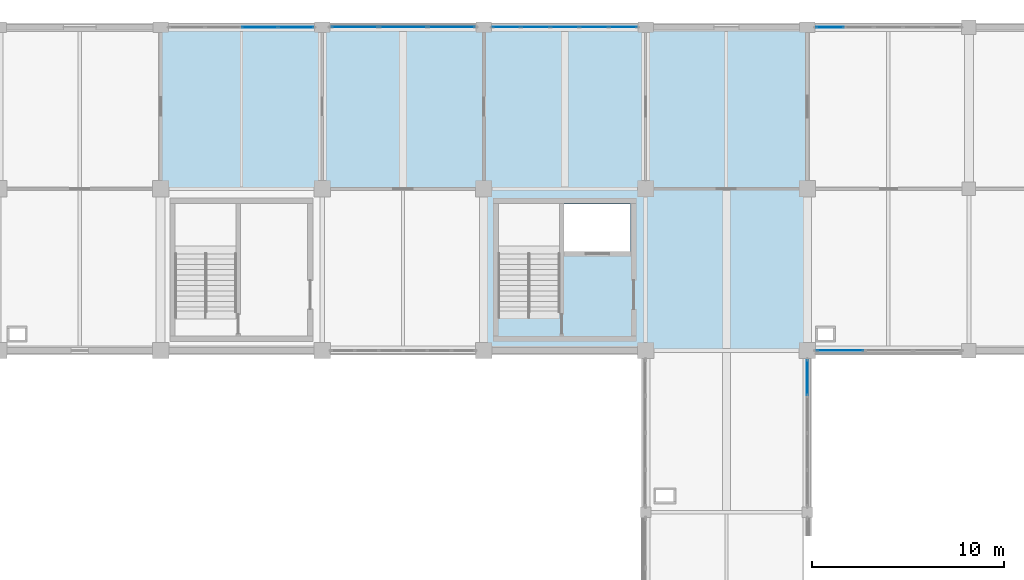
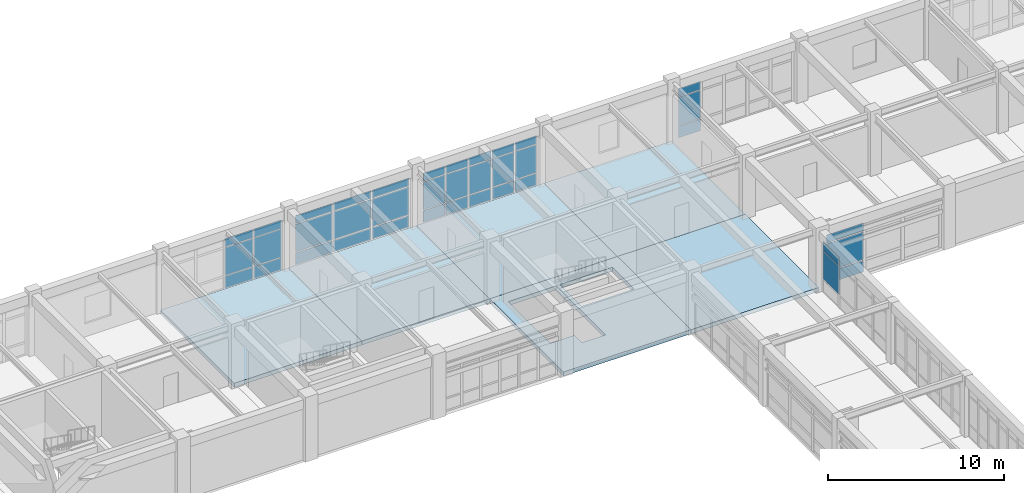
# One storey, part 53 of 78: 38 plates, 6 slabs, 6 elements without a shape of their own.
"""IFC4 building model written with IfcOpenShell, lengths in metres."""

from ifc_helpers import new_model, si_unit, direction, frame, origin, origin_2d, place, context, subcontext, project, spatial, polyline, rectangle, outline, extrude, material, layer, layer_set, type_object, element, aggregate, save


model = new_model("IFC4")

# Units and contexts
model_context = context("Model", 3, precision=1e-05, world=origin(), true_north=direction((0.0, 1.0)))
body_context = subcontext(model_context, "Body", "Model", "MODEL_VIEW")
ifc_project = project(units=[si_unit("LENGTHUNIT", "METRE"), si_unit("AREAUNIT", "SQUARE_METRE"), si_unit("VOLUMEUNIT", "CUBIC_METRE"), si_unit("PLANEANGLEUNIT", "RADIAN"), si_unit("MASSUNIT", "GRAM", prefix="KILO")], contexts=[model_context])

# Site, building, storey
site_placement = place(None, origin())
site = spatial("IfcSite", under=ifc_project, at=site_placement, CompositionType="ELEMENT")
building_placement = place(site_placement, origin())
building = spatial("IfcBuilding", under=site, at=building_placement, Name="Porcellanite Civic Hall", CompositionType="ELEMENT")
storey_placement = place(building_placement, frame((0.0, 0.0, 10.260009765625)))
storey = spatial("IfcBuildingStorey", under=building, at=storey_placement, Name="L02", CompositionType="ELEMENT", Elevation=10.260009765625)

# Curtain wall, plates
ifc_material_1 = material(Name="Anodised aluminium and solar laminated glass", Category="aluminium")
ifc_layer_1 = layer(ifc_material_1, 0.179931640625)
ifc_layer_set_1 = layer_set([ifc_layer_1], Name="Anodised aluminium and solar laminated glass")
curtain_wall_type_1 = type_object("IfcCurtainWallType", Name="CW-SYS08", PredefinedType="NOTDEFINED", material=ifc_layer_set_1)
curtain_wall_1_placement = place(storey_placement, origin())
curtain_wall_1 = element("IfcCurtainWall", 1, at=curtain_wall_1_placement, inside=storey, type_object=curtain_wall_type_1, Name="Curtain wall CW-160", PredefinedType="NOTDEFINED")
ifc_material_2 = material(Name="Cyclone laminated solar-control low-E glass", Category="glass")
ifc_layer_2 = layer(ifc_material_2, 0.02392578125)
ifc_layer_set_2 = layer_set([ifc_layer_2], Name="Cyclone laminated solar-control low-E glass")
plate_type_1 = type_object("IfcPlateType", Name="CWP-01", PredefinedType="CURTAIN_PANEL", material=ifc_layer_set_2)
plate_1_placement = place(storey_placement, frame((102.4873046875, 117.60009765625, 0.070068359375), z_axis=(0.0, 0.0, 1.0), x_axis=(1.0, 0.0, 0.0)))
plate_1 = element("IfcPlate", 2, at=plate_1_placement, type_object=plate_type_1, Name="CW-160 panel 1.1", PredefinedType="CURTAIN_PANEL", context=body_context, shape_type="SweptSolid", body=[
    extrude(rectangle(XDim=2.41259765625, YDim=0.02392578125, at=origin_2d()), origin(), (0.0, 0.0, 1.0), 0.794921875),
])
plate_2_placement = place(storey_placement, frame((102.4873046875, 117.60009765625, 0.93505859375), z_axis=(0.0, 0.0, 1.0), x_axis=(1.0, 0.0, 0.0)))
plate_2 = element("IfcPlate", 3, at=plate_2_placement, type_object=plate_type_1, Name="CW-160 panel 1.2", PredefinedType="CURTAIN_PANEL", context=body_context, shape_type="SweptSolid", body=[
    extrude(rectangle(XDim=2.41259765625, YDim=0.02392578125, at=origin_2d()), origin(), (0.0, 0.0, 1.0), 1.919921875),
])
plate_3_placement = place(storey_placement, frame((102.4873046875, 117.60009765625, 2.925048828125), z_axis=(0.0, 0.0, 1.0), x_axis=(1.0, 0.0, 0.0)))
plate_3 = element("IfcPlate", 4, at=plate_3_placement, type_object=plate_type_1, Name="CW-160 panel 1.3", PredefinedType="CURTAIN_PANEL", context=body_context, shape_type="SweptSolid", body=[
    extrude(rectangle(XDim=2.41259765625, YDim=0.02392578125, at=origin_2d()), origin(), (0.0, 0.0, 1.0), 0.544921875),
])
plate_4_placement = place(storey_placement, frame((105.0, 117.60009765625, 0.070068359375), z_axis=(0.0, 0.0, 1.0), x_axis=(1.0, 0.0, 0.0)))
plate_4 = element("IfcPlate", 5, at=plate_4_placement, type_object=plate_type_1, Name="CW-160 panel 2.1", PredefinedType="CURTAIN_PANEL", context=body_context, shape_type="SweptSolid", body=[
    extrude(rectangle(XDim=2.45263671875, YDim=0.02392578125, at=origin_2d()), origin(), (0.0, 0.0, 1.0), 0.794921875),
])
plate_5_placement = place(storey_placement, frame((105.0, 117.60009765625, 0.93505859375), z_axis=(0.0, 0.0, 1.0), x_axis=(1.0, 0.0, 0.0)))
plate_5 = element("IfcPlate", 6, at=plate_5_placement, type_object=plate_type_1, Name="CW-160 panel 2.2", PredefinedType="CURTAIN_PANEL", context=body_context, shape_type="SweptSolid", body=[
    extrude(rectangle(XDim=2.45263671875, YDim=0.02392578125, at=origin_2d()), origin(), (0.0, 0.0, 1.0), 1.919921875),
])
plate_6_placement = place(storey_placement, frame((105.0, 117.60009765625, 2.925048828125), z_axis=(0.0, 0.0, 1.0), x_axis=(1.0, 0.0, 0.0)))
plate_6 = element("IfcPlate", 7, at=plate_6_placement, type_object=plate_type_1, Name="CW-160 panel 2.3", PredefinedType="CURTAIN_PANEL", context=body_context, shape_type="SweptSolid", body=[
    extrude(rectangle(XDim=2.45263671875, YDim=0.02392578125, at=origin_2d()), origin(), (0.0, 0.0, 1.0), 0.544921875),
])
plate_7_placement = place(storey_placement, frame((107.5126953125, 117.60009765625, 0.070068359375), z_axis=(0.0, 0.0, 1.0), x_axis=(1.0, 0.0, 0.0)))
plate_7 = element("IfcPlate", 8, at=plate_7_placement, type_object=plate_type_1, Name="CW-160 panel 3.1", PredefinedType="CURTAIN_PANEL", context=body_context, shape_type="SweptSolid", body=[
    extrude(rectangle(XDim=2.41259765625, YDim=0.02392578125, at=origin_2d()), origin(), (0.0, 0.0, 1.0), 0.794921875),
])
plate_8_placement = place(storey_placement, frame((107.5126953125, 117.60009765625, 0.93505859375), z_axis=(0.0, 0.0, 1.0), x_axis=(1.0, 0.0, 0.0)))
plate_8 = element("IfcPlate", 9, at=plate_8_placement, type_object=plate_type_1, Name="CW-160 panel 3.2", PredefinedType="CURTAIN_PANEL", context=body_context, shape_type="SweptSolid", body=[
    extrude(rectangle(XDim=2.41259765625, YDim=0.02392578125, at=origin_2d()), origin(), (0.0, 0.0, 1.0), 1.919921875),
])
plate_9_placement = place(storey_placement, frame((107.5126953125, 117.60009765625, 2.925048828125), z_axis=(0.0, 0.0, 1.0), x_axis=(1.0, 0.0, 0.0)))
plate_9 = element("IfcPlate", 10, at=plate_9_placement, type_object=plate_type_1, Name="CW-160 panel 3.3", PredefinedType="CURTAIN_PANEL", context=body_context, shape_type="SweptSolid", body=[
    extrude(rectangle(XDim=2.41259765625, YDim=0.02392578125, at=origin_2d()), origin(), (0.0, 0.0, 1.0), 0.544921875),
])
aggregate(curtain_wall_1, [plate_1, plate_2, plate_3, plate_4, plate_5, plate_6, plate_7, plate_8, plate_9])

ifc_material_3 = material(Name="Anodised aluminium and solar laminated glass", Category="aluminium")
ifc_layer_3 = layer(ifc_material_3, 0.179931640625)
ifc_layer_set_3 = layer_set([ifc_layer_3], Name="Anodised aluminium and solar laminated glass")
curtain_wall_type_2 = type_object("IfcCurtainWallType", Name="CW-SYS01", PredefinedType="NOTDEFINED", material=ifc_layer_set_3)
curtain_wall_2_placement = place(storey_placement, origin())
curtain_wall_2 = element("IfcCurtainWall", 11, at=curtain_wall_2_placement, inside=storey, type_object=curtain_wall_type_2, Name="Curtain wall CW-161", PredefinedType="NOTDEFINED")
ifc_material_4 = material(Name="Cyclone laminated solar-control low-E glass", Category="glass")
ifc_layer_4 = layer(ifc_material_4, 0.02587890625)
ifc_layer_set_4 = layer_set([ifc_layer_4], Name="Cyclone laminated solar-control low-E glass")
plate_type_2 = type_object("IfcPlateType", Name="CWP-02", PredefinedType="CURTAIN_PANEL", material=ifc_layer_set_4)
plate_10_placement = place(storey_placement, frame((110.37841796875, 117.60009765625, 0.06005859375), z_axis=(0.0, 0.0, 1.0), x_axis=(1.0, 0.0, 0.0)))
plate_10 = element("IfcPlate", 12, at=plate_10_placement, type_object=plate_type_2, Name="CW-161 panel 1.1", PredefinedType="CURTAIN_PANEL", context=body_context, shape_type="SweptSolid", body=[
    extrude(rectangle(XDim=1.41455078125, YDim=0.02587890625, at=origin_2d()), origin(), (0.0, 0.0, 1.0), 0.81005859375),
])
plate_11_placement = place(storey_placement, frame((110.37841796875, 117.60009765625, 0.93017578125), z_axis=(0.0, 0.0, 1.0), x_axis=(1.0, 0.0, 0.0)))
plate_11 = element("IfcPlate", 13, at=plate_11_placement, type_object=plate_type_2, Name="CW-161 panel 1.2", PredefinedType="CURTAIN_PANEL", context=body_context, shape_type="SweptSolid", body=[
    extrude(rectangle(XDim=1.41455078125, YDim=0.02587890625, at=origin_2d()), origin(), (0.0, 0.0, 1.0), 1.929931640625),
])
plate_12_placement = place(storey_placement, frame((110.37841796875, 117.60009765625, 2.919921875), z_axis=(0.0, 0.0, 1.0), x_axis=(1.0, 0.0, 0.0)))
plate_12 = element("IfcPlate", 14, at=plate_12_placement, type_object=plate_type_2, Name="CW-161 panel 1.3", PredefinedType="CURTAIN_PANEL", context=body_context, shape_type="SweptSolid", body=[
    extrude(rectangle(XDim=1.41455078125, YDim=0.02587890625, at=origin_2d()), origin(), (0.0, 0.0, 1.0), 0.56005859375),
])
plate_13_placement = place(storey_placement, frame((111.88037109375, 117.60009765625, 0.06005859375), z_axis=(0.0, 0.0, 1.0), x_axis=(1.0, 0.0, 0.0)))
plate_13 = element("IfcPlate", 15, at=plate_13_placement, type_object=plate_type_2, Name="CW-161 panel 2.1", PredefinedType="CURTAIN_PANEL", context=body_context, shape_type="SweptSolid", body=[
    extrude(rectangle(XDim=1.44970703125, YDim=0.02587890625, at=origin_2d()), origin(), (0.0, 0.0, 1.0), 0.81005859375),
])
plate_14_placement = place(storey_placement, frame((111.88037109375, 117.60009765625, 0.93017578125), z_axis=(0.0, 0.0, 1.0), x_axis=(1.0, 0.0, 0.0)))
plate_14 = element("IfcPlate", 16, at=plate_14_placement, type_object=plate_type_2, Name="CW-161 panel 2.2", PredefinedType="CURTAIN_PANEL", context=body_context, shape_type="SweptSolid", body=[
    extrude(rectangle(XDim=1.44970703125, YDim=0.02587890625, at=origin_2d()), origin(), (0.0, 0.0, 1.0), 1.929931640625),
])
plate_15_placement = place(storey_placement, frame((111.88037109375, 117.60009765625, 2.919921875), z_axis=(0.0, 0.0, 1.0), x_axis=(1.0, 0.0, 0.0)))
plate_15 = element("IfcPlate", 17, at=plate_15_placement, type_object=plate_type_2, Name="CW-161 panel 2.3", PredefinedType="CURTAIN_PANEL", context=body_context, shape_type="SweptSolid", body=[
    extrude(rectangle(XDim=1.44970703125, YDim=0.02587890625, at=origin_2d()), origin(), (0.0, 0.0, 1.0), 0.56005859375),
])
plate_16_placement = place(storey_placement, frame((113.39990234375, 117.60009765625, 0.06005859375), z_axis=(0.0, 0.0, 1.0), x_axis=(1.0, 0.0, 0.0)))
plate_16 = element("IfcPlate", 18, at=plate_16_placement, type_object=plate_type_2, Name="CW-161 panel 3.1", PredefinedType="CURTAIN_PANEL", context=body_context, shape_type="SweptSolid", body=[
    extrude(rectangle(XDim=1.44970703125, YDim=0.02587890625, at=origin_2d()), origin(), (0.0, 0.0, 1.0), 0.81005859375),
])
plate_17_placement = place(storey_placement, frame((113.39990234375, 117.60009765625, 0.93017578125), z_axis=(0.0, 0.0, 1.0), x_axis=(1.0, 0.0, 0.0)))
plate_17 = element("IfcPlate", 19, at=plate_17_placement, type_object=plate_type_2, Name="CW-161 panel 3.2", PredefinedType="CURTAIN_PANEL", context=body_context, shape_type="SweptSolid", body=[
    extrude(rectangle(XDim=1.44970703125, YDim=0.02587890625, at=origin_2d()), origin(), (0.0, 0.0, 1.0), 1.929931640625),
])
plate_18_placement = place(storey_placement, frame((113.39990234375, 117.60009765625, 2.919921875), z_axis=(0.0, 0.0, 1.0), x_axis=(1.0, 0.0, 0.0)))
plate_18 = element("IfcPlate", 20, at=plate_18_placement, type_object=plate_type_2, Name="CW-161 panel 3.3", PredefinedType="CURTAIN_PANEL", context=body_context, shape_type="SweptSolid", body=[
    extrude(rectangle(XDim=1.44970703125, YDim=0.02587890625, at=origin_2d()), origin(), (0.0, 0.0, 1.0), 0.56005859375),
])
plate_19_placement = place(storey_placement, frame((114.919677734375, 117.60009765625, 0.06005859375), z_axis=(0.0, 0.0, 1.0), x_axis=(1.0, 0.0, 0.0)))
plate_19 = element("IfcPlate", 21, at=plate_19_placement, type_object=plate_type_2, Name="CW-161 panel 4.1", PredefinedType="CURTAIN_PANEL", context=body_context, shape_type="SweptSolid", body=[
    extrude(rectangle(XDim=1.44970703125, YDim=0.02587890625, at=origin_2d()), origin(), (0.0, 0.0, 1.0), 0.81005859375),
])
plate_20_placement = place(storey_placement, frame((114.919677734375, 117.60009765625, 0.93017578125), z_axis=(0.0, 0.0, 1.0), x_axis=(1.0, 0.0, 0.0)))
plate_20 = element("IfcPlate", 22, at=plate_20_placement, type_object=plate_type_2, Name="CW-161 panel 4.2", PredefinedType="CURTAIN_PANEL", context=body_context, shape_type="SweptSolid", body=[
    extrude(rectangle(XDim=1.44970703125, YDim=0.02587890625, at=origin_2d()), origin(), (0.0, 0.0, 1.0), 1.929931640625),
])
plate_21_placement = place(storey_placement, frame((114.919677734375, 117.60009765625, 2.919921875), z_axis=(0.0, 0.0, 1.0), x_axis=(1.0, 0.0, 0.0)))
plate_21 = element("IfcPlate", 23, at=plate_21_placement, type_object=plate_type_2, Name="CW-161 panel 4.3", PredefinedType="CURTAIN_PANEL", context=body_context, shape_type="SweptSolid", body=[
    extrude(rectangle(XDim=1.44970703125, YDim=0.02587890625, at=origin_2d()), origin(), (0.0, 0.0, 1.0), 0.56005859375),
])
plate_22_placement = place(storey_placement, frame((116.421630859375, 117.60009765625, 0.06005859375), z_axis=(0.0, 0.0, 1.0), x_axis=(1.0, 0.0, 0.0)))
plate_22 = element("IfcPlate", 24, at=plate_22_placement, type_object=plate_type_2, Name="CW-161 panel 5.1", PredefinedType="CURTAIN_PANEL", context=body_context, shape_type="SweptSolid", body=[
    extrude(rectangle(XDim=1.41455078125, YDim=0.02587890625, at=origin_2d()), origin(), (0.0, 0.0, 1.0), 0.81005859375),
])
plate_23_placement = place(storey_placement, frame((116.421630859375, 117.60009765625, 0.93017578125), z_axis=(0.0, 0.0, 1.0), x_axis=(1.0, 0.0, 0.0)))
plate_23 = element("IfcPlate", 25, at=plate_23_placement, type_object=plate_type_2, Name="CW-161 panel 5.2", PredefinedType="CURTAIN_PANEL", context=body_context, shape_type="SweptSolid", body=[
    extrude(rectangle(XDim=1.41455078125, YDim=0.02587890625, at=origin_2d()), origin(), (0.0, 0.0, 1.0), 1.929931640625),
])
plate_24_placement = place(storey_placement, frame((116.421630859375, 117.60009765625, 2.919921875), z_axis=(0.0, 0.0, 1.0), x_axis=(1.0, 0.0, 0.0)))
plate_24 = element("IfcPlate", 26, at=plate_24_placement, type_object=plate_type_2, Name="CW-161 panel 5.3", PredefinedType="CURTAIN_PANEL", context=body_context, shape_type="SweptSolid", body=[
    extrude(rectangle(XDim=1.41455078125, YDim=0.02587890625, at=origin_2d()), origin(), (0.0, 0.0, 1.0), 0.56005859375),
])
aggregate(curtain_wall_2, [plate_10, plate_11, plate_12, plate_13, plate_14, plate_15, plate_16, plate_17, plate_18, plate_19, plate_20, plate_21, plate_22, plate_23, plate_24])

curtain_wall_3_placement = place(storey_placement, origin())
curtain_wall_3 = element("IfcCurtainWall", 27, at=curtain_wall_3_placement, inside=storey, type_object=curtain_wall_type_1, Name="Curtain wall CW-172", PredefinedType="NOTDEFINED")
ifc_material_5 = material(Name="Cyclone laminated solar-control low-E glass", Category="glass")
ifc_layer_5 = layer(ifc_material_5, 0.028076171875)
ifc_layer_set_5 = layer_set([ifc_layer_5], Name="Cyclone laminated solar-control low-E glass")
plate_type_3 = type_object("IfcPlateType", Name="CWP-03", PredefinedType="CURTAIN_PANEL", material=ifc_layer_set_5)
plate_25_placement = place(storey_placement, frame((127.71240234375, 100.800048828125, 0.070068359375), z_axis=(0.0, 0.0, 1.0), x_axis=(-1.0, 0.0, 0.0)))
plate_25 = element("IfcPlate", 28, at=plate_25_placement, type_object=plate_type_3, Name="CW-172 panel 3.1", PredefinedType="CURTAIN_PANEL", context=body_context, shape_type="SweptSolid", body=[
    extrude(rectangle(XDim=2.41259765625, YDim=0.028076171875, at=origin_2d()), origin(), (0.0, 0.0, 1.0), 0.794921875),
])
plate_26_placement = place(storey_placement, frame((127.71240234375, 100.800048828125, 0.93505859375), z_axis=(0.0, 0.0, 1.0), x_axis=(-1.0, 0.0, 0.0)))
plate_26 = element("IfcPlate", 29, at=plate_26_placement, type_object=plate_type_3, Name="CW-172 panel 3.2", PredefinedType="CURTAIN_PANEL", context=body_context, shape_type="SweptSolid", body=[
    extrude(rectangle(XDim=2.41259765625, YDim=0.028076171875, at=origin_2d()), origin(), (0.0, 0.0, 1.0), 1.919921875),
])
plate_27_placement = place(storey_placement, frame((127.71240234375, 100.800048828125, 2.925048828125), z_axis=(0.0, 0.0, 1.0), x_axis=(-1.0, 0.0, 0.0)))
plate_27 = element("IfcPlate", 30, at=plate_27_placement, type_object=plate_type_3, Name="CW-172 panel 3.3", PredefinedType="CURTAIN_PANEL", context=body_context, shape_type="SweptSolid", body=[
    extrude(rectangle(XDim=2.41259765625, YDim=0.028076171875, at=origin_2d()), origin(), (0.0, 0.0, 1.0), 0.544921875),
])
aggregate(curtain_wall_3, [plate_25, plate_26, plate_27])

curtain_wall_4_placement = place(storey_placement, origin())
curtain_wall_4 = element("IfcCurtainWall", 31, at=curtain_wall_4_placement, inside=storey, type_object=curtain_wall_type_2, Name="Curtain wall CW-173", PredefinedType="NOTDEFINED")
ifc_material_6 = material(Name="Cyclone laminated solar-control low-E glass", Category="glass")
ifc_layer_6 = layer(ifc_material_6, 0.030029296875)
ifc_layer_set_6 = layer_set([ifc_layer_6], Name="Cyclone laminated solar-control low-E glass")
plate_type_4 = type_object("IfcPlateType", Name="CWP-04", PredefinedType="CURTAIN_PANEL", material=ifc_layer_set_6)
plate_28_placement = place(storey_placement, frame((127.180908203125, 117.60009765625, 0.06005859375), z_axis=(0.0, 0.0, 1.0), x_axis=(1.0, 0.0, 0.0)))
plate_28 = element("IfcPlate", 32, at=plate_28_placement, type_object=plate_type_4, Name="CW-173 panel 1.1", PredefinedType="CURTAIN_PANEL", context=body_context, shape_type="SweptSolid", body=[
    extrude(rectangle(XDim=1.419677734375, YDim=0.030029296875, at=origin_2d()), origin(), (0.0, 0.0, 1.0), 0.81005859375),
])
plate_29_placement = place(storey_placement, frame((127.180908203125, 117.60009765625, 0.93017578125), z_axis=(0.0, 0.0, 1.0), x_axis=(1.0, 0.0, 0.0)))
plate_29 = element("IfcPlate", 33, at=plate_29_placement, type_object=plate_type_4, Name="CW-173 panel 1.2", PredefinedType="CURTAIN_PANEL", context=body_context, shape_type="SweptSolid", body=[
    extrude(rectangle(XDim=1.419677734375, YDim=0.030029296875, at=origin_2d()), origin(), (0.0, 0.0, 1.0), 1.929931640625),
])
plate_30_placement = place(storey_placement, frame((127.180908203125, 117.60009765625, 2.919921875), z_axis=(0.0, 0.0, 1.0), x_axis=(1.0, 0.0, 0.0)))
plate_30 = element("IfcPlate", 34, at=plate_30_placement, type_object=plate_type_4, Name="CW-173 panel 1.3", PredefinedType="CURTAIN_PANEL", context=body_context, shape_type="SweptSolid", body=[
    extrude(rectangle(XDim=1.419677734375, YDim=0.030029296875, at=origin_2d()), origin(), (0.0, 0.0, 1.0), 0.56005859375),
])
aggregate(curtain_wall_4, [plate_28, plate_29, plate_30])

ifc_material_7 = material(Name="Anodised aluminium and solar laminated glass", Category="aluminium")
ifc_layer_7 = layer(ifc_material_7, 0.179931640625)
ifc_layer_set_7 = layer_set([ifc_layer_7], Name="Anodised aluminium and solar laminated glass")
curtain_wall_type_3 = type_object("IfcCurtainWallType", Name="CW-SYS06", PredefinedType="NOTDEFINED", material=ifc_layer_set_7)
curtain_wall_5_placement = place(storey_placement, origin())
curtain_wall_5 = element("IfcCurtainWall", 35, at=curtain_wall_5_placement, inside=storey, type_object=curtain_wall_type_3, Name="Curtain wall CW-158", PredefinedType="NOTDEFINED")
ifc_material_8 = material(Name="Insulated ochre aluminium spandrel panel", Category="aluminium")
ifc_layer_8 = layer(ifc_material_8, 0.0419921875)
ifc_layer_set_8 = layer_set([ifc_layer_8], Name="Insulated ochre aluminium spandrel panel")
plate_type_5 = type_object("IfcPlateType", Name="CWP-09", PredefinedType="CURTAIN_PANEL", material=ifc_layer_set_8)
plate_31_placement = place(storey_placement, frame((97.5498046875, 117.60009765625, 0.0498046875), z_axis=(0.0, 0.0, 1.0), x_axis=(1.0, 0.0, 0.0)))
plate_31 = element("IfcPlate", 36, at=plate_31_placement, type_object=plate_type_5, Name="CW-158 panel 3.1", PredefinedType="CURTAIN_PANEL", context=body_context, shape_type="SweptSolid", body=[
    extrude(rectangle(XDim=1.83447265625, YDim=0.0419921875, at=origin_2d()), origin(), (0.0, 0.0, 1.0), 0.824951171875),
])
plate_32_placement = place(storey_placement, frame((97.5498046875, 117.60009765625, 0.925048828125), z_axis=(0.0, 0.0, 1.0), x_axis=(1.0, 0.0, 0.0)))
plate_32 = element("IfcPlate", 37, at=plate_32_placement, type_object=plate_type_5, Name="CW-158 panel 3.2", PredefinedType="CURTAIN_PANEL", context=body_context, shape_type="SweptSolid", body=[
    extrude(rectangle(XDim=1.83447265625, YDim=0.0419921875, at=origin_2d()), origin(), (0.0, 0.0, 1.0), 1.93994140625),
])
plate_33_placement = place(storey_placement, frame((97.5498046875, 117.60009765625, 2.9150390625), z_axis=(0.0, 0.0, 1.0), x_axis=(1.0, 0.0, 0.0)))
plate_33 = element("IfcPlate", 38, at=plate_33_placement, type_object=plate_type_5, Name="CW-158 panel 3.3", PredefinedType="CURTAIN_PANEL", context=body_context, shape_type="SweptSolid", body=[
    extrude(rectangle(XDim=1.83447265625, YDim=0.0419921875, at=origin_2d()), origin(), (0.0, 0.0, 1.0), 0.574951171875),
])
plate_34_placement = place(storey_placement, frame((99.43310546875, 117.60009765625, 0.0498046875), z_axis=(0.0, 0.0, 1.0), x_axis=(1.0, 0.0, 0.0)))
plate_34 = element("IfcPlate", 39, at=plate_34_placement, type_object=plate_type_5, Name="CW-158 panel 4.1", PredefinedType="CURTAIN_PANEL", context=body_context, shape_type="SweptSolid", body=[
    extrude(rectangle(XDim=1.802001953125, YDim=0.0419921875, at=origin_2d()), origin(), (0.0, 0.0, 1.0), 0.824951171875),
])
plate_35_placement = place(storey_placement, frame((99.43310546875, 117.60009765625, 0.925048828125), z_axis=(0.0, 0.0, 1.0), x_axis=(1.0, 0.0, 0.0)))
plate_35 = element("IfcPlate", 40, at=plate_35_placement, type_object=plate_type_5, Name="CW-158 panel 4.2", PredefinedType="CURTAIN_PANEL", context=body_context, shape_type="SweptSolid", body=[
    extrude(rectangle(XDim=1.802001953125, YDim=0.0419921875, at=origin_2d()), origin(), (0.0, 0.0, 1.0), 1.93994140625),
])
plate_36_placement = place(storey_placement, frame((99.43310546875, 117.60009765625, 2.9150390625), z_axis=(0.0, 0.0, 1.0), x_axis=(1.0, 0.0, 0.0)))
plate_36 = element("IfcPlate", 41, at=plate_36_placement, type_object=plate_type_5, Name="CW-158 panel 4.3", PredefinedType="CURTAIN_PANEL", context=body_context, shape_type="SweptSolid", body=[
    extrude(rectangle(XDim=1.802001953125, YDim=0.0419921875, at=origin_2d()), origin(), (0.0, 0.0, 1.0), 0.574951171875),
])
aggregate(curtain_wall_5, [plate_31, plate_32, plate_33, plate_34, plate_35, plate_36])

ifc_material_9 = material(Name="Anodised aluminium and solar laminated glass", Category="aluminium")
ifc_layer_9 = layer(ifc_material_9, 0.179931640625)
ifc_layer_set_9 = layer_set([ifc_layer_9], Name="Anodised aluminium and solar laminated glass")
curtain_wall_type_4 = type_object("IfcCurtainWallType", Name="CW-SYS04", PredefinedType="NOTDEFINED", material=ifc_layer_set_9)
curtain_wall_6_placement = place(storey_placement, origin())
curtain_wall_6 = element("IfcCurtainWall", 42, at=curtain_wall_6_placement, inside=storey, type_object=curtain_wall_type_4, Name="Curtain wall CW-169", PredefinedType="NOTDEFINED")
ifc_material_10 = material(Name="Insulated ochre aluminium spandrel panel", Category="aluminium")
ifc_layer_10 = layer(ifc_material_10, 0.0458984375)
ifc_layer_set_10 = layer_set([ifc_layer_10], Name="Insulated ochre aluminium spandrel panel")
plate_type_6 = type_object("IfcPlateType", Name="CWP-10", PredefinedType="CURTAIN_PANEL", material=ifc_layer_set_10)
plate_37_placement = place(storey_placement, frame((126.0, 99.39306640625, 0.927490234375), z_axis=(0.0, 0.0, 1.0), x_axis=(0.0, -1.0, 0.0)))
plate_37 = element("IfcPlate", 43, at=plate_37_placement, type_object=plate_type_6, Name="CW-169 panel 1.2", PredefinedType="CURTAIN_PANEL", context=body_context, shape_type="SweptSolid", body=[
    extrude(rectangle(XDim=1.81201171875, YDim=0.0458984375, at=origin_2d()), origin(), (0.0, 0.0, 1.0), 1.93505859375),
])
plate_38_placement = place(storey_placement, frame((126.0, 99.39306640625, 2.91748046875), z_axis=(0.0, 0.0, 1.0), x_axis=(0.0, -1.0, 0.0)))
plate_38 = element("IfcPlate", 44, at=plate_38_placement, type_object=plate_type_6, Name="CW-169 panel 1.3", PredefinedType="CURTAIN_PANEL", context=body_context, shape_type="SweptSolid", body=[
    extrude(rectangle(XDim=1.81201171875, YDim=0.0458984375, at=origin_2d()), origin(), (0.0, 0.0, 1.0), 0.5673828125),
])
aggregate(curtain_wall_6, [plate_37, plate_38])

# Slabs
ifc_material_11 = material(Name="Concrete N40 (40 MPa)", Category="concrete")
ifc_layer_11 = layer(ifc_material_11, 0.280029296875)
ifc_layer_set_11 = layer_set([ifc_layer_11], Name="Concrete N40 (40 MPa)")
slab_type = type_object("IfcSlabType", Name="SL-FL280", PredefinedType="FLOOR", material=ifc_layer_set_11)
slab_1_placement = place(storey_placement, frame((0.0, 0.0, -0.280029296875)))
element("IfcSlab", 45, at=slab_1_placement, inside=storey, type_object=slab_type, Name="Slab L02 bay 12-14", PredefinedType="FLOOR", context=body_context, shape_type="SweptSolid", body=[
    extrude(outline(polyline([(92.39990234375, 109.199951171875), (100.800048828125, 109.199951171875), (100.800048828125, 117.60009765625), (92.39990234375, 117.60009765625), (92.39990234375, 109.199951171875)])), origin(), (0.0, 0.0, 1.0), 0.280029296875),
])
slab_2_placement = place(storey_placement, frame((0.0, 0.0, -0.280029296875)))
element("IfcSlab", 46, at=slab_2_placement, inside=storey, type_object=slab_type, Name="Slab L02 bay 13-14", PredefinedType="FLOOR", context=body_context, shape_type="SweptSolid", body=[
    extrude(outline(polyline([(100.800048828125, 109.199951171875), (109.199951171875, 109.199951171875), (109.199951171875, 117.60009765625), (100.800048828125, 117.60009765625), (100.800048828125, 109.199951171875)])), origin(), (0.0, 0.0, 1.0), 0.280029296875),
])
slab_3_placement = place(storey_placement, frame((0.0, 0.0, -0.280029296875)))
element("IfcSlab", 47, at=slab_3_placement, inside=storey, type_object=slab_type, Name="Slab L02 bay 14-13", PredefinedType="FLOOR", context=body_context, shape_type="SweptSolid", body=[
    extrude(outline(polyline([(109.199951171875, 100.800048828125), (117.60009765625, 100.800048828125), (117.60009765625, 109.199951171875), (109.199951171875, 109.199951171875), (109.199951171875, 100.800048828125)]), holes=[polyline([(109.97998046875, 103.64990234375), (111.56005859375, 103.64990234375), (111.56005859375, 102.800048828125), (113.1201171875, 102.800048828125), (113.1201171875, 108.419921875), (109.97998046875, 108.419921875), (109.97998046875, 103.64990234375)]), polyline([(113.360107421875, 105.93994140625), (116.820068359375, 105.93994140625), (116.820068359375, 108.419921875), (113.360107421875, 108.419921875), (113.360107421875, 105.93994140625)])]), origin(), (0.0, 0.0, 1.0), 0.280029296875),
])
slab_4_placement = place(storey_placement, frame((0.0, 0.0, -0.280029296875)))
element("IfcSlab", 48, at=slab_4_placement, inside=storey, type_object=slab_type, Name="Slab L02 bay 14-14", PredefinedType="FLOOR", context=body_context, shape_type="SweptSolid", body=[
    extrude(outline(polyline([(109.199951171875, 109.199951171875), (117.60009765625, 109.199951171875), (117.60009765625, 117.60009765625), (109.199951171875, 117.60009765625), (109.199951171875, 109.199951171875)])), origin(), (0.0, 0.0, 1.0), 0.280029296875),
])
slab_5_placement = place(storey_placement, frame((0.0, 0.0, -0.280029296875)))
element("IfcSlab", 49, at=slab_5_placement, inside=storey, type_object=slab_type, Name="Slab L02 bay 15-13", PredefinedType="FLOOR", context=body_context, shape_type="SweptSolid", body=[
    extrude(outline(polyline([(117.60009765625, 100.800048828125), (126.0, 100.800048828125), (126.0, 109.199951171875), (117.60009765625, 109.199951171875), (117.60009765625, 100.800048828125)])), origin(), (0.0, 0.0, 1.0), 0.280029296875),
])
slab_6_placement = place(storey_placement, frame((0.0, 0.0, -0.280029296875)))
element("IfcSlab", 50, at=slab_6_placement, inside=storey, type_object=slab_type, Name="Slab L02 bay 15-14", PredefinedType="FLOOR", context=body_context, shape_type="SweptSolid", body=[
    extrude(outline(polyline([(117.60009765625, 109.199951171875), (126.0, 109.199951171875), (126.0, 117.60009765625), (117.60009765625, 117.60009765625), (117.60009765625, 109.199951171875)])), origin(), (0.0, 0.0, 1.0), 0.280029296875),
])

save(model, "model.ifc")
